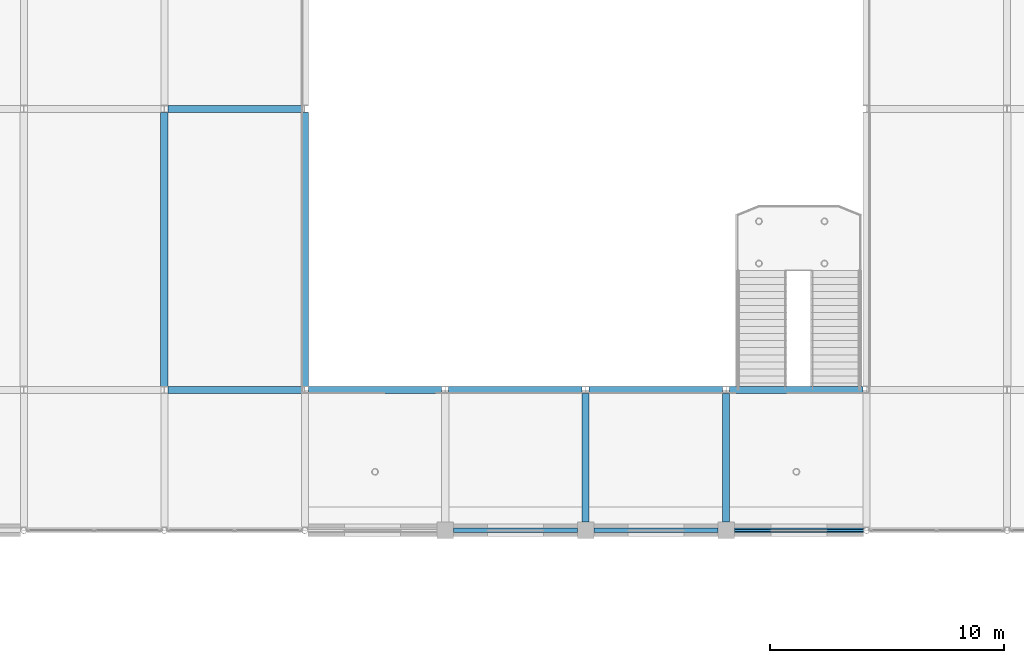
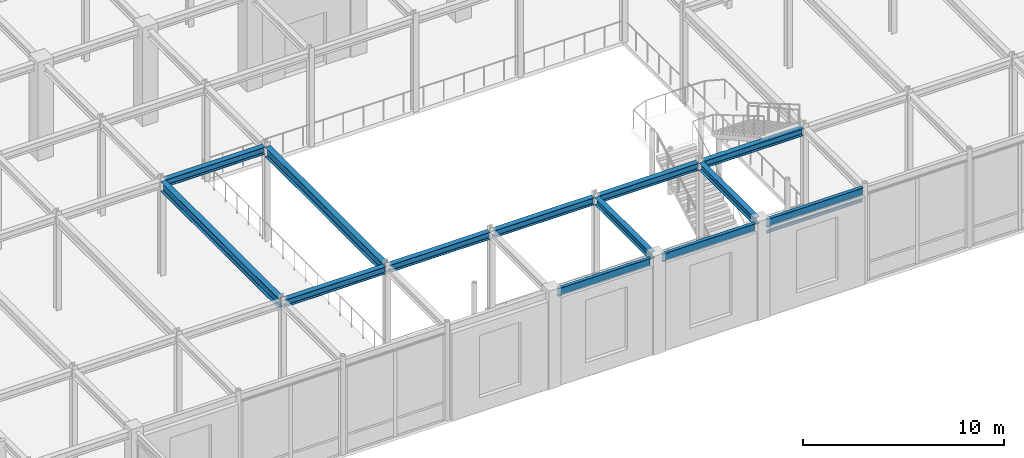
# One storey, part 55 of 108: 14 beams.
"""IFC4 building model written with IfcOpenShell, lengths in metres."""

from ifc_helpers import new_model, si_unit, direction, frame, origin, origin_2d, place, context, subcontext, project, spatial, i_section, extrude, material, material_profile, profile_set, type_object, element, save


model = new_model("IFC4")

# Units and contexts
model_context = context("Model", 3, precision=1e-05, world=origin(), true_north=direction((0.0, 1.0)))
body_context = subcontext(model_context, "Body", "Model", "MODEL_VIEW")
ifc_project = project(units=[si_unit("LENGTHUNIT", "METRE"), si_unit("AREAUNIT", "SQUARE_METRE"), si_unit("VOLUMEUNIT", "CUBIC_METRE"), si_unit("PLANEANGLEUNIT", "RADIAN"), si_unit("MASSUNIT", "GRAM", prefix="KILO")], contexts=[model_context])

# Site, building, storey
site_placement = place(None, origin())
site = spatial("IfcSite", under=ifc_project, at=site_placement, CompositionType="ELEMENT")
building_placement = place(site_placement, origin())
building = spatial("IfcBuilding", under=site, at=building_placement, Name="Zlatovratsky Civic Hall", CompositionType="ELEMENT")
storey_placement = place(building_placement, frame((0.0, 0.0, 6.0)))
storey = spatial("IfcBuildingStorey", under=building, at=storey_placement, Name="L02", CompositionType="ELEMENT", Elevation=6.0)

# Beams
ifc_material = material(Name="Steel S355", Category="steel")
ifc_material_profile_1 = material_profile(ifc_material, i_section(OverallWidth=0.320068359375, OverallDepth=0.58203125, WebThickness=0.011962890625, FlangeThickness=0.01708984375, FilletRadius=0.02392578125, at=origin_2d()), Name="60Sh1")
ifc_profile_set_1 = profile_set([ifc_material_profile_1], Name="Steel S355")
beam_type_1 = type_object("IfcBeamType", Name="Beam_PodiumGirder_60Sh1", PredefinedType="BEAM", material=ifc_profile_set_1)
for number, where, z_axis, x_axis, name in (
    (1, (66.0, 18.14990234375, 5.468994140625), (0.0, 1.0, 0.0), (-1.0, 0.0, 0.0), "BM-2181"),
    (2, (72.0, 18.14990234375, 5.468994140625), (0.0, 1.0, 0.0), (-1.0, 0.0, 0.0), "BM-2197"),
):
    element("IfcBeam", number, at=place(storey_placement, frame(where, z_axis=z_axis, x_axis=x_axis)), inside=storey, type_object=beam_type_1, Name=name, PredefinedType="BEAM", context=body_context, shape_type="SweptSolid", body=[
        extrude(i_section(OverallWidth=0.320068359375, OverallDepth=0.58203125, WebThickness=0.011962890625, FlangeThickness=0.01708984375, FilletRadius=0.02392578125, at=origin_2d()), origin(), (0.0, 0.0, 1.0), 11.7001953125),
    ])
ifc_material_profile_2 = material_profile(ifc_material, i_section(OverallWidth=0.198974609375, OverallDepth=0.491943359375, WebThickness=0.0087890625, FlangeThickness=0.011962890625, FilletRadius=0.01611328125, at=origin_2d()), Name="50B1")
ifc_profile_set_2 = profile_set([ifc_material_profile_2], Name="Steel S355")
beam_type_2 = type_object("IfcBeamType", Name="Beam_Spandrel_50B1", PredefinedType="SPANDREL", material=ifc_profile_set_2)
for number, where, z_axis, x_axis, name in (
    (3, (78.35009765625, 12.0, 5.513916015625), (1.0, 0.0, 0.0), (0.0, 1.0, 0.0), "BM-1749"),
    (4, (84.35009765625, 12.0, 5.513916015625), (1.0, 0.0, 0.0), (0.0, 1.0, 0.0), "BM-1750"),
):
    element("IfcBeam", number, at=place(storey_placement, frame(where, z_axis=z_axis, x_axis=x_axis)), inside=storey, type_object=beam_type_2, Name=name, PredefinedType="SPANDREL", context=body_context, shape_type="SweptSolid", body=[
        extrude(i_section(OverallWidth=0.198974609375, OverallDepth=0.491943359375, WebThickness=0.0087890625, FlangeThickness=0.011962890625, FilletRadius=0.01611328125, at=origin_2d()), origin(), (0.0, 0.0, 1.0), 5.2998046875),
    ])
beam_1_placement = place(storey_placement, frame((90.35009765625, 12.0, 5.513916015625), z_axis=(1.0, 0.0, 0.0), x_axis=(0.0, 1.0, 0.0)))
element("IfcBeam", 5, at=beam_1_placement, inside=storey, type_object=beam_type_2, Name="BM-1751", PredefinedType="SPANDREL", context=body_context, shape_type="SweptSolid", body=[
    extrude(i_section(OverallWidth=0.198974609375, OverallDepth=0.491943359375, WebThickness=0.0087890625, FlangeThickness=0.011962890625, FilletRadius=0.01611328125, at=origin_2d()), origin(), (0.0, 0.0, 1.0), 5.513427734375),
])
ifc_material_profile_3 = material_profile(ifc_material, i_section(OverallWidth=0.300048828125, OverallDepth=0.43994140625, WebThickness=0.010986328125, FlangeThickness=0.01806640625, FilletRadius=0.02197265625, at=origin_2d()), Name="45Sh1")
ifc_profile_set_3 = profile_set([ifc_material_profile_3], Name="Steel S355")
beam_type_3 = type_object("IfcBeamType", Name="Beam_TowerLow_45Sh1", PredefinedType="BEAM", material=ifc_profile_set_3)
for number, where, z_axis, x_axis, name in (
    (6, (66.14990234375, 18.0, 5.5400390625), (1.0, 0.0, 0.0), (0.0, 1.0, 0.0), "BM-1769"),
    (7, (72.14990234375, 18.0, 5.5400390625), (1.0, 0.0, 0.0), (0.0, 1.0, 0.0), "BM-1770"),
    (8, (78.14990234375, 18.0, 5.5400390625), (1.0, 0.0, 0.0), (0.0, 1.0, 0.0), "BM-1771"),
    (9, (84.14990234375, 18.0, 5.5400390625), (1.0, 0.0, 0.0), (0.0, 1.0, 0.0), "BM-1772"),
    (10, (90.14990234375, 18.0, 5.5400390625), (1.0, 0.0, 0.0), (0.0, 1.0, 0.0), "BM-1773"),
    (11, (66.14990234375, 30.0, 5.5400390625), (1.0, 0.0, 0.0), (0.0, 1.0, 0.0), "BM-1791"),
):
    element("IfcBeam", number, at=place(storey_placement, frame(where, z_axis=z_axis, x_axis=x_axis)), inside=storey, type_object=beam_type_3, Name=name, PredefinedType="BEAM", context=body_context, shape_type="SweptSolid", body=[
        extrude(i_section(OverallWidth=0.300048828125, OverallDepth=0.43994140625, WebThickness=0.010986328125, FlangeThickness=0.01806640625, FilletRadius=0.02197265625, at=origin_2d()), origin(), (0.0, 0.0, 1.0), 5.7001953125),
    ])
for number, where, z_axis, x_axis, name in (
    (12, (84.0, 12.35009765625, 5.5400390625), (0.0, 1.0, 0.0), (-1.0, 0.0, 0.0), "BM-2218"),
    (13, (90.0, 12.35009765625, 5.5400390625), (0.0, 1.0, 0.0), (-1.0, 0.0, 0.0), "BM-2228"),
):
    element("IfcBeam", number, at=place(storey_placement, frame(where, z_axis=z_axis, x_axis=x_axis)), inside=storey, type_object=beam_type_3, Name=name, PredefinedType="BEAM", context=body_context, shape_type="SweptSolid", body=[
        extrude(i_section(OverallWidth=0.300048828125, OverallDepth=0.43994140625, WebThickness=0.010986328125, FlangeThickness=0.01806640625, FilletRadius=0.02197265625, at=origin_2d()), origin(), (0.0, 0.0, 1.0), 5.5),
    ])
ifc_material_profile_4 = material_profile(ifc_material, i_section(OverallWidth=0.08203125, OverallDepth=0.156982421875, WebThickness=0.00390625, FlangeThickness=0.005859375, FilletRadius=0.009033203125, at=origin_2d()), Name="16B1")
ifc_profile_set_4 = profile_set([ifc_material_profile_4], Name="Steel S355")
beam_type_4 = type_object("IfcBeamType", Name="Lintel_Window_16B1", PredefinedType="LINTEL", material=ifc_profile_set_4)
beam_2_placement = place(storey_placement, frame((90.35009765625, 12.0, 4.949951171875), z_axis=(1.0, 0.0, 0.0), x_axis=(0.0, 1.0, 0.0)))
element("IfcBeam", 14, at=beam_2_placement, inside=storey, type_object=beam_type_4, Name="BM-5403", PredefinedType="LINTEL", context=body_context, shape_type="SweptSolid", body=[
    extrude(i_section(OverallWidth=0.08203125, OverallDepth=0.156982421875, WebThickness=0.00390625, FlangeThickness=0.005859375, FilletRadius=0.009033203125, at=origin_2d()), origin(), (0.0, 0.0, 1.0), 5.513427734375),
])

save(model, "model.ifc")
